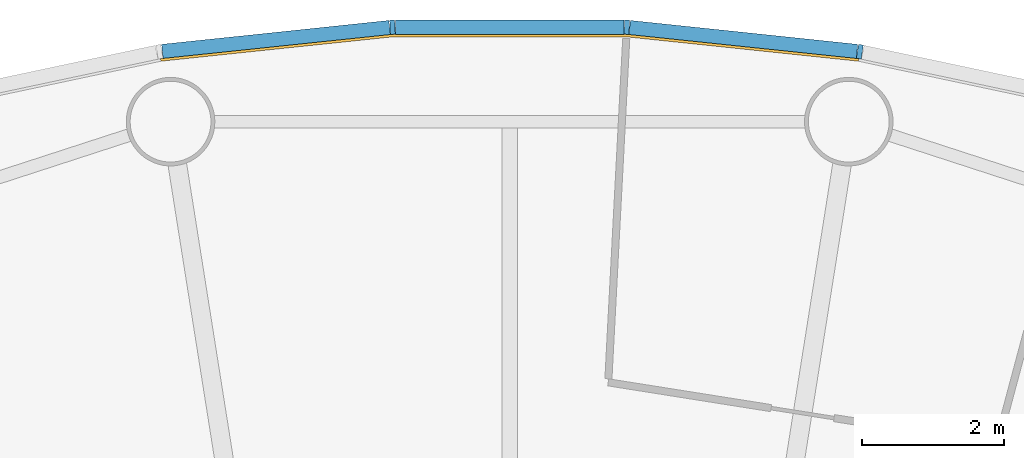
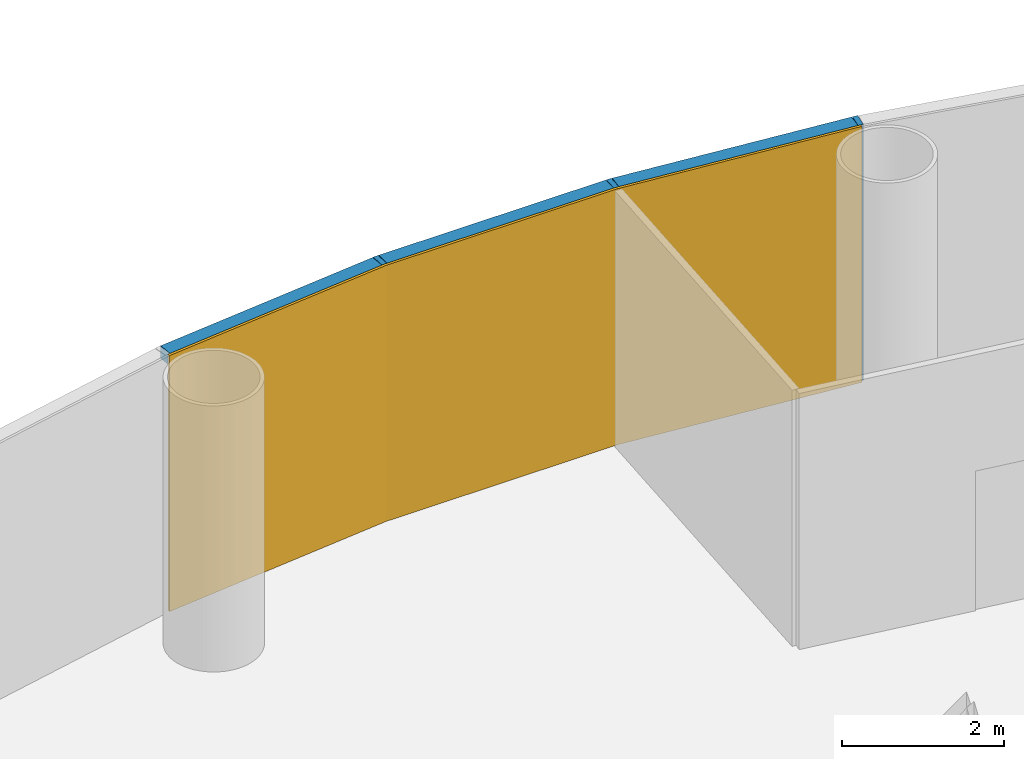
# One storey, part 11 of 13: 6 members, 1 curtain wall.
"""IFC4 building model written with IfcOpenShell, lengths in metres."""

from ifc_helpers import new_model, si_unit, direction, frame, origin, origin_2d, place, context, subcontext, project, spatial, polyline, rectangle, outline, extrude, material, layer, layer_set, material_profile, profile_set, type_object, element, aggregate, save


model = new_model("IFC4")

# Units and contexts
model_context = context("Model", 3, precision=1e-05, world=origin(), true_north=direction((0.0, 1.0)))
body_context = subcontext(model_context, "Body", "Model", "MODEL_VIEW")
ifc_project = project(units=[si_unit("LENGTHUNIT", "METRE"), si_unit("AREAUNIT", "SQUARE_METRE"), si_unit("VOLUMEUNIT", "CUBIC_METRE"), si_unit("PLANEANGLEUNIT", "RADIAN"), si_unit("MASSUNIT", "GRAM", prefix="KILO")], contexts=[model_context])

# Member
ifc_material_1 = material(Name="Anodised aluminium", Category="aluminium")
ifc_material_profile_1 = material_profile(ifc_material_1, rectangle(XDim=0.070068359375, YDim=0.199951171875, at=origin_2d()), Name="Mullion 70 x 200 mm anodised aluminium")
ifc_profile_set_1 = profile_set([ifc_material_profile_1], Name="Anodised aluminium")
member_type_1 = type_object("IfcMemberType", Name="Mullion 70 x 200 mm anodised aluminium", PredefinedType="MULLION", material=ifc_profile_set_1)
site_placement = place(None, origin())
building_placement = place(site_placement, origin())
storey_placement = place(building_placement, frame((0.0, 0.0, 120.0)))
member_1_placement = place(storey_placement, frame((94.943359375, 111.2109375, 0.0), z_axis=(0.0, 0.0, 1.0), x_axis=(-0.987688340595, 0.15643446504, 0.0)))
member_1 = element("IfcMember", 1, at=member_1_placement, type_object=member_type_1, Name="MULLION L27-12", PredefinedType="MULLION", context=body_context, shape_type="SweptSolid", body=[
    extrude(rectangle(XDim=0.070068359375, YDim=0.199951171875, at=origin_2d()), origin(), (0.0, 0.0, 1.0), 3.85009765625),
])

member_2_placement = place(storey_placement, frame((91.65380859375, 111.556640625, 0.0), z_axis=(0.0, 0.0, 1.0), x_axis=(-0.998629534755, 0.052335956243, 0.0)))
member_2 = element("IfcMember", 2, at=member_2_placement, type_object=member_type_1, Name="MULLION L27-13", PredefinedType="MULLION", context=body_context, shape_type="SweptSolid", body=[
    extrude(rectangle(XDim=0.070068359375, YDim=0.199951171875, at=origin_2d()), origin(), (0.0, 0.0, 1.0), 3.85009765625),
])

member_3_placement = place(storey_placement, frame((88.34619140625, 111.556640625, 0.0), z_axis=(0.0, 0.0, 1.0), x_axis=(-0.998629534755, -0.052335956243, 0.0)))
member_3 = element("IfcMember", 3, at=member_3_placement, type_object=member_type_1, Name="MULLION L27-14", PredefinedType="MULLION", context=body_context, shape_type="SweptSolid", body=[
    extrude(rectangle(XDim=0.070068359375, YDim=0.199951171875, at=origin_2d()), origin(), (0.0, 0.0, 1.0), 3.85009765625),
])

ifc_material_2 = material(Name="Anodised aluminium", Category="aluminium")
ifc_material_profile_2 = material_profile(ifc_material_2, rectangle(XDim=0.199951171875, YDim=0.18994140625, at=origin_2d()), Name="Transom 190 x 200 mm anodised aluminium")
ifc_profile_set_2 = profile_set([ifc_material_profile_2], Name="Anodised aluminium")
member_type_2 = type_object("IfcMemberType", Name="Transom 190 x 200 mm anodised aluminium", PredefinedType="USERDEFINED", material=ifc_profile_set_2)
member_4_placement = place(storey_placement, frame((94.9033203125, 111.21533203125, 3.7548828125), z_axis=(-0.994519537956, 0.104550890115, 0.0), x_axis=(-0.104550890115, -0.994519537956, 0.0)))
member_4 = element("IfcMember", 4, at=member_4_placement, type_object=member_type_2, Name="TRANSOM L27-12", ObjectType="TRANSOM", PredefinedType="USERDEFINED", context=body_context, shape_type="SweptSolid", body=[
    extrude(rectangle(XDim=0.199951171875, YDim=0.18994140625, at=origin_2d()), origin(), (0.0, 0.0, 1.0), 3.22705078125),
])

member_5_placement = place(storey_placement, frame((91.613525390625, 111.556884765625, 3.7548828125), z_axis=(-1.0, 0.0, 0.0), x_axis=(0.0, -1.0, 0.0)))
member_5 = element("IfcMember", 5, at=member_5_placement, type_object=member_type_2, Name="TRANSOM L27-13", ObjectType="TRANSOM", PredefinedType="USERDEFINED", context=body_context, shape_type="SweptSolid", body=[
    extrude(rectangle(XDim=0.199951171875, YDim=0.18994140625, at=origin_2d()), origin(), (0.0, 0.0, 1.0), 3.22705078125),
])

member_6_placement = place(storey_placement, frame((88.30615234375, 111.552734375, 3.7548828125), z_axis=(-0.994519537956, -0.104550890115, 0.0), x_axis=(0.104550890115, -0.994519537956, 0.0)))
member_6 = element("IfcMember", 6, at=member_6_placement, type_object=member_type_2, Name="TRANSOM L27-14", ObjectType="TRANSOM", PredefinedType="USERDEFINED", context=body_context, shape_type="SweptSolid", body=[
    extrude(rectangle(XDim=0.199951171875, YDim=0.18994140625, at=origin_2d()), origin(), (0.0, 0.0, 1.0), 3.22705078125),
])

# Site, building, storey
site = spatial("IfcSite", under=ifc_project, at=site_placement, CompositionType="ELEMENT")
building = spatial("IfcBuilding", under=site, at=building_placement, Name="Entoto Ring Tower", CompositionType="ELEMENT")
storey = spatial("IfcBuildingStorey", under=building, at=storey_placement, Name="L27", CompositionType="ELEMENT", Elevation=120.0)

# Curtain wall
ifc_material_3 = material(Name="Clear low-iron glass", Category="glass")
ifc_layer = layer(ifc_material_3, 0.035888671875)
ifc_layer_set = layer_set([ifc_layer], Name="Clear low-iron glass")
curtain_wall_type = type_object("IfcCurtainWallType", Name="Curtain wall system CW2 glazing 36 mm", PredefinedType="NOTDEFINED", material=ifc_layer_set)
curtain_wall_placement = place(storey_placement, origin())
curtain_wall = element("IfcCurtainWall", 7, at=curtain_wall_placement, inside=storey, type_object=curtain_wall_type, Name="CW2 L27-05", PredefinedType="NOTDEFINED", context=body_context, shape_type="SweptSolid", body=[
    extrude(outline(polyline([(94.927734375, 111.1123046875), (91.648681640625, 111.456787109375), (88.351318359375, 111.456787109375), (85.072265625, 111.1123046875), (85.077880859375, 111.07666015625), (88.353271484375, 111.4208984375), (91.646728515625, 111.4208984375), (94.922119140625, 111.07666015625), (94.927734375, 111.1123046875)])), origin(), (0.0, 0.0, 1.0), 3.85009765625),
])

aggregate(curtain_wall, [member_1, member_2, member_3, member_4, member_5, member_6])

save(model, "model.ifc")
